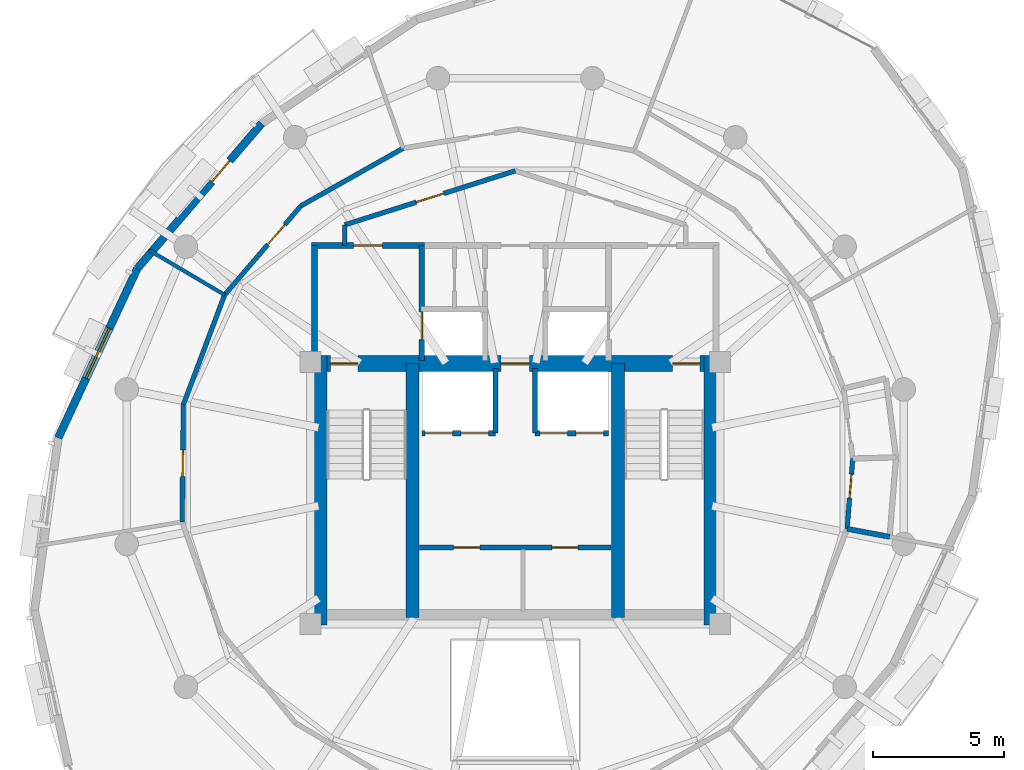
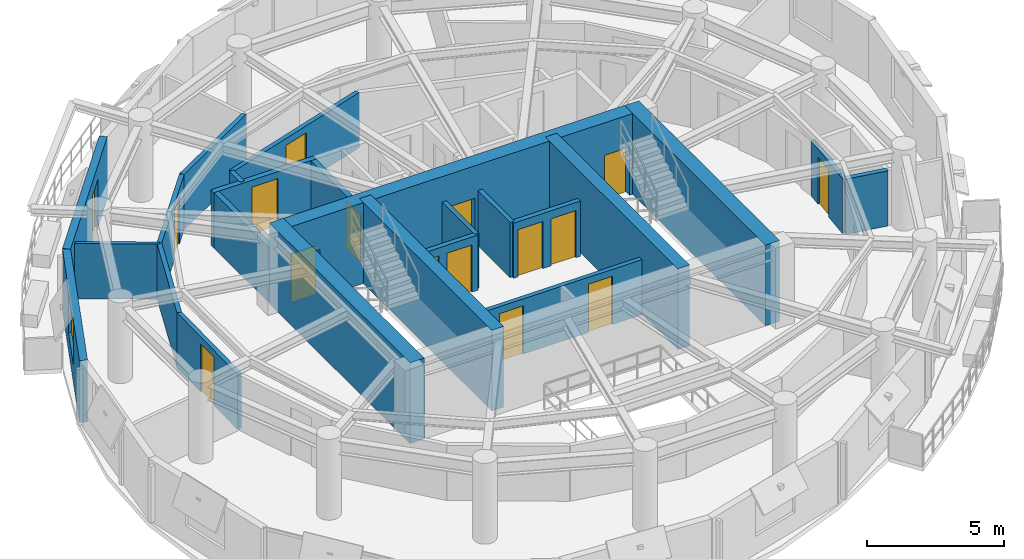
# One storey, part 7 of 11: 24 walls, 16 doors, 1 window, 17 openings.
"""IFC4 building model written with IfcOpenShell, lengths in metres."""

from ifc_helpers import new_model, si_unit, direction, frame, frame_2d, origin, place, context, subcontext, project, spatial, rectangle, extrude, material, layer, layer_set, type_object, element, fill, save


model = new_model("IFC4")

# Units and contexts
model_context = context("Model", 3, precision=1e-05, world=origin(), true_north=direction((0.0, 1.0)))
body_context = subcontext(model_context, "Body", "Model", "MODEL_VIEW")
ifc_project = project(units=[si_unit("LENGTHUNIT", "METRE"), si_unit("AREAUNIT", "SQUARE_METRE"), si_unit("VOLUMEUNIT", "CUBIC_METRE"), si_unit("PLANEANGLEUNIT", "RADIAN"), si_unit("MASSUNIT", "GRAM", prefix="KILO"), si_unit("THERMODYNAMICTEMPERATUREUNIT", "KELVIN"), si_unit("POWERUNIT", "WATT")], contexts=[model_context])

# Site, building, storey
site_placement = place(None, origin())
site = spatial("IfcSite", under=ifc_project, at=site_placement, CompositionType="ELEMENT")
building_placement = place(site_placement, origin())
building = spatial("IfcBuilding", under=site, at=building_placement, Name="Ocrelia Relay Tower", CompositionType="ELEMENT")
storey_placement = place(building_placement, frame((0.0, 0.0, 237.60009765625)))
storey = spatial("IfcBuildingStorey", under=building, at=storey_placement, Name="L58", CompositionType="ELEMENT", Elevation=237.60009765625)

# Wall, openings, doors
ifc_material_1 = material(Name="Concrete C50/60", Category="concrete")
ifc_layer_1 = layer(ifc_material_1, 0.60009765625, Name="Concrete C50/60")
ifc_layer_set_1 = layer_set([ifc_layer_1], Name="Concrete C50/60")
wall_type_1 = type_object("IfcWallType", Name="CW-CORE-600B", PredefinedType="SHEAR", material=ifc_layer_set_1)
wall_1_placement = place(storey_placement, frame((26.221923828125, 29.93798828125, 0.0), z_axis=(0.0, 0.0, 1.0), x_axis=(1.0, 0.0, 0.0)))
wall_1 = element("IfcWall", 1, at=wall_1_placement, inside=storey, type_object=wall_type_1, Name="L58 Core Shear Wall N", PredefinedType="SHEAR", context=body_context, shape_type="SweptSolid", body=[
    extrude(rectangle(XDim=15.566162109375, YDim=0.60009765625, at=frame_2d((7.783203125, 0.0))), origin(), (0.0, 0.0, 1.0), 3.599853515625),
])
opening_1_placement = place(wall_1_placement, frame((0.72802734375, 0.0, 0.0)))
opening_1 = element("IfcOpeningElement", 2, at=opening_1_placement, cuts=wall_1, Name="Opening D-FD90", PredefinedType="OPENING", context=body_context, shape_type="SweptSolid", body=[
    extrude(rectangle(XDim=1.050048828125, YDim=2.14990234375, at=frame_2d((0.52490234375, 1.074951171875))), frame((0.0, 0.31005859375, 0.0), z_axis=(0.0, -1.0, 0.0), x_axis=(1.0, 0.0, 0.0)), (0.0, 0.0, 1.0), 0.6201171875),
])
opening_2_placement = place(wall_1_placement, frame((13.778076171875, 0.0, 0.0)))
opening_2 = element("IfcOpeningElement", 3, at=opening_2_placement, cuts=wall_1, Name="Opening D-FD90", PredefinedType="OPENING", context=body_context, shape_type="SweptSolid", body=[
    extrude(rectangle(XDim=1.050048828125, YDim=2.14990234375, at=frame_2d((0.52490234375, 1.074951171875))), frame((0.0, 0.31005859375, 0.0), z_axis=(0.0, -1.0, 0.0), x_axis=(1.0, 0.0, 0.0)), (0.0, 0.0, 1.0), 0.6201171875),
])
opening_3_placement = place(wall_1_placement, frame((7.22802734375, 0.0, 0.0)))
opening_3 = element("IfcOpeningElement", 4, at=opening_3_placement, cuts=wall_1, Name="Opening D-FD60", PredefinedType="OPENING", context=body_context, shape_type="SweptSolid", body=[
    extrude(rectangle(XDim=1.10009765625, YDim=2.14990234375, at=frame_2d((0.550048828125, 1.074951171875))), frame((0.0, 0.31005859375, 0.0), z_axis=(0.0, -1.0, 0.0), x_axis=(1.0, 0.0, 0.0)), (0.0, 0.0, 1.0), 0.6201171875),
])
ifc_material_2 = material(Name="Timber-core 60-min acoustic fire door", Category="wood")
door_type_1 = type_object("IfcDoorType", Name="DR-LOBBY-FD60-1100", OperationType="NOTDEFINED", PredefinedType="DOOR", material=ifc_material_2)
door_1_placement = place(opening_3_placement, origin())
door_1 = element("IfcDoor", 5, at=door_1_placement, inside=storey, type_object=door_type_1, Name="L58 Core Lift Lobby North Fire Door", OperationType="SINGLE_SWING_RIGHT", OverallHeight=2.14990234375, OverallWidth=1.10009765625, PredefinedType="DOOR", context=body_context, shape_type="SweptSolid", body=[
    extrude(rectangle(XDim=1.10009765625, YDim=2.14990234375, at=frame_2d((0.550048828125, 1.074951171875))), frame((0.0, 0.02490234375, 0.0), z_axis=(0.0, -1.0, 0.0), x_axis=(1.0, 0.0, 0.0)), (0.0, 0.0, 1.0), 0.050048828125),
])
fill(opening_3, door_1)
ifc_material_3 = material(Name="Steel S355 90-min fire door", Category="steel")
door_type_2 = type_object("IfcDoorType", Name="DR-STAIR-FD90-1050", OperationType="NOTDEFINED", PredefinedType="DOOR", material=ifc_material_3)
door_2_placement = place(opening_1_placement, origin())
door_2 = element("IfcDoor", 6, at=door_2_placement, inside=storey, type_object=door_type_2, Name="L58 Stair ST1 Fire Door", OperationType="SINGLE_SWING_RIGHT", OverallHeight=2.14990234375, OverallWidth=1.050048828125, PredefinedType="DOOR", context=body_context, shape_type="SweptSolid", body=[
    extrude(rectangle(XDim=1.050048828125, YDim=2.14990234375, at=frame_2d((0.52490234375, 1.074951171875))), frame((0.0, 0.02490234375, 0.0), z_axis=(0.0, -1.0, 0.0), x_axis=(1.0, 0.0, 0.0)), (0.0, 0.0, 1.0), 0.050048828125),
])
fill(opening_1, door_2)
door_3_placement = place(opening_2_placement, origin())
door_3 = element("IfcDoor", 7, at=door_3_placement, inside=storey, type_object=door_type_2, Name="L58 Stair ST2 Fire Door", OperationType="SINGLE_SWING_LEFT", OverallHeight=2.14990234375, OverallWidth=1.050048828125, PredefinedType="DOOR", context=body_context, shape_type="SweptSolid", body=[
    extrude(rectangle(XDim=1.050048828125, YDim=2.14990234375, at=frame_2d((0.52490234375, 1.074951171875))), frame((0.0, 0.02490234375, 0.0), z_axis=(0.0, -1.0, 0.0), x_axis=(1.0, 0.0, 0.0)), (0.0, 0.0, 1.0), 0.050048828125),
])
fill(opening_2, door_3)

# Walls
for number, where, z_axis, x_axis, name in (
    (8, (26.52197265625, 19.9619140625, 0.0), (0.0, 0.0, 1.0), (0.0, 1.0, 0.0), "L58 Core Shear Wall W"),
    (9, (41.488037109375, 19.9619140625, 0.0), (0.0, 0.0, 1.0), (0.0, 1.0, 0.0), "L58 Core Shear Wall E"),
):
    element("IfcWall", number, at=place(storey_placement, frame(where, z_axis=z_axis, x_axis=x_axis)), inside=storey, type_object=wall_type_1, Name=name, PredefinedType="SHEAR", context=body_context, shape_type="SweptSolid", body=[
        extrude(rectangle(XDim=10.276123046875, YDim=0.60009765625, at=frame_2d((5.13818359375, 0.0))), origin(), (0.0, 0.0, 1.0), 3.599853515625),
    ])
for number, where, z_axis, x_axis, name in (
    (10, (30.087890625, 20.261962890625, 0.0), (0.0, 0.0, 1.0), (0.0, 1.0, 0.0), "L58 Core Shear Wall SPW"),
    (11, (37.922119140625, 20.261962890625, 0.0), (0.0, 0.0, 1.0), (0.0, 1.0, 0.0), "L58 Core Shear Wall SPE"),
):
    element("IfcWall", number, at=place(storey_placement, frame(where, z_axis=z_axis, x_axis=x_axis)), inside=storey, type_object=wall_type_1, Name=name, PredefinedType="SHEAR", context=body_context, shape_type="SweptSolid", body=[
        extrude(rectangle(XDim=9.676025390625, YDim=0.5, at=frame_2d((4.837890625, 0.0))), origin(), (0.0, 0.0, 1.0), 3.599853515625),
    ])

# Wall, openings, doors
ifc_material_4 = material(Name="Gypsum Fireboard Partition EI60", Category="gypsum")
ifc_layer_2 = layer(ifc_material_4, 0.179931640625, Name="Gypsum Fireboard Partition EI60")
ifc_layer_set_2 = layer_set([ifc_layer_2], Name="Gypsum Fireboard Partition EI60")
wall_type_2 = type_object("IfcWallType", Name="W-CORR-EI60-180", PredefinedType="PARTITIONING", material=ifc_layer_set_2)
wall_2_placement = place(storey_placement, frame((30.35009765625, 22.919921875, 0.0), z_axis=(0.0, 0.0, 1.0), x_axis=(1.0, 0.0, 0.0)))
wall_2 = element("IfcWall", 12, at=wall_2_placement, inside=storey, type_object=wall_type_2, Name="L58 Reclaimed Core Room Partition", PredefinedType="PARTITIONING", context=body_context, shape_type="SweptSolid", body=[
    extrude(rectangle(XDim=7.2998046875, YDim=0.179931640625, at=frame_2d((3.64990234375, 0.0))), origin(), (0.0, 0.0, 1.0), 2.4599609375),
])
opening_4_placement = place(wall_2_placement, frame((1.300048828125, 0.0, 0.0)))
opening_4 = element("IfcOpeningElement", 13, at=opening_4_placement, cuts=wall_2, Name="Opening D-RM100", PredefinedType="OPENING", context=body_context, shape_type="SweptSolid", body=[
    extrude(rectangle(XDim=1.0, YDim=2.14990234375, at=frame_2d((0.5, 1.074951171875))), frame((0.0, 0.10009765625, 0.0), z_axis=(0.0, -1.0, 0.0), x_axis=(1.0, 0.0, 0.0)), (0.0, 0.0, 1.0), 0.199951171875),
])
opening_5_placement = place(wall_2_placement, frame((5.050048828125, 0.0, 0.0)))
opening_5 = element("IfcOpeningElement", 14, at=opening_5_placement, cuts=wall_2, Name="Opening D-RM100", PredefinedType="OPENING", context=body_context, shape_type="SweptSolid", body=[
    extrude(rectangle(XDim=1.0, YDim=2.14990234375, at=frame_2d((0.5, 1.074951171875))), frame((0.0, 0.10009765625, 0.0), z_axis=(0.0, -1.0, 0.0), x_axis=(1.0, 0.0, 0.0)), (0.0, 0.0, 1.0), 0.199951171875),
])
ifc_material_5 = material(Name="Acoustic oak veneer fire door", Category="wood")
door_type_3 = type_object("IfcDoorType", Name="DR-ROOM-FD60-1000", OperationType="NOTDEFINED", PredefinedType="DOOR", material=ifc_material_5)
door_4_placement = place(opening_4_placement, origin())
door_4 = element("IfcDoor", 15, at=door_4_placement, inside=storey, type_object=door_type_3, Name="L58 Reclaimed Core Room 1 Door", OperationType="SINGLE_SWING_LEFT", OverallHeight=2.14990234375, OverallWidth=1.0, PredefinedType="DOOR", context=body_context, shape_type="SweptSolid", body=[
    extrude(rectangle(XDim=1.0, YDim=2.14990234375, at=frame_2d((0.5, 1.074951171875))), frame((0.0, 0.02490234375, 0.0), z_axis=(0.0, -1.0, 0.0), x_axis=(1.0, 0.0, 0.0)), (0.0, 0.0, 1.0), 0.050048828125),
])
fill(opening_4, door_4)
door_5_placement = place(opening_5_placement, origin())
door_5 = element("IfcDoor", 16, at=door_5_placement, inside=storey, type_object=door_type_3, Name="L58 Reclaimed Core Room 2 Door", OperationType="SINGLE_SWING_RIGHT", OverallHeight=2.14990234375, OverallWidth=1.0, PredefinedType="DOOR", context=body_context, shape_type="SweptSolid", body=[
    extrude(rectangle(XDim=1.0, YDim=2.14990234375, at=frame_2d((0.5, 1.074951171875))), frame((0.0, 0.02490234375, 0.0), z_axis=(0.0, -1.0, 0.0), x_axis=(1.0, 0.0, 0.0)), (0.0, 0.0, 1.0), 0.050048828125),
])
fill(opening_5, door_5)

# Wall
wall_3_placement = place(storey_placement, frame((27.5, 34.429931640625, 0.0), z_axis=(0.0, 0.0, 1.0), x_axis=(0.0, 1.0, 0.0)))
element("IfcWall", 17, at=wall_3_placement, inside=storey, type_object=wall_type_2, Name="L58 Smoke Lobby West Return", PredefinedType="PARTITIONING", context=body_context, shape_type="SweptSolid", body=[
    extrude(rectangle(XDim=0.7890625, YDim=0.179931640625, at=frame_2d((0.39453125, 0.0))), origin(), (0.0, 0.0, 1.0), 2.4599609375),
])

# Wall, opening, door
wall_4_placement = place(storey_placement, frame((27.5, 35.218994140625, 0.0), z_axis=(0.0, 0.0, 1.0), x_axis=(0.953228121756, 0.302251795518, 0.0)))
wall_4 = element("IfcWall", 18, at=wall_4_placement, inside=storey, type_object=wall_type_2, Name="L58 North Smoke Lobby W Screen Wall", PredefinedType="PARTITIONING", context=body_context, shape_type="SweptSolid", body=[
    extrude(rectangle(XDim=6.81884765625, YDim=0.179931640625, at=frame_2d((3.409423828125, 0.0))), origin(), (0.0, 0.0, 1.0), 2.4599609375),
])
opening_6_placement = place(wall_4_placement, frame((2.859619140625, 0.0, 0.0)))
opening_6 = element("IfcOpeningElement", 19, at=opening_6_placement, cuts=wall_4, Name="Opening D-FD60", PredefinedType="OPENING", context=body_context, shape_type="SweptSolid", body=[
    extrude(rectangle(XDim=1.10009765625, YDim=2.14990234375, at=frame_2d((0.550048828125, 1.074951171875))), frame((0.0, 0.10009765625, 0.0), z_axis=(0.0, -1.0, 0.0), x_axis=(1.0, 0.0, 0.0)), (0.0, 0.0, 1.0), 0.199951171875),
])
door_6_placement = place(opening_6_placement, origin())
door_6 = element("IfcDoor", 20, at=door_6_placement, inside=storey, type_object=door_type_1, Name="L58 North Smoke Lobby W Fire Door", OperationType="SINGLE_SWING_LEFT", OverallHeight=2.14990234375, OverallWidth=1.10009765625, PredefinedType="DOOR", context=body_context, shape_type="SweptSolid", body=[
    extrude(rectangle(XDim=1.10009765625, YDim=2.14990234375, at=frame_2d((0.550048828125, 1.074951171875))), frame((0.0, 0.02490234375, 0.0), z_axis=(0.0, -1.0, 0.0), x_axis=(1.0, 0.0, 0.0)), (0.0, 0.0, 1.0), 0.050048828125),
])
fill(opening_6, door_6)

wall_5_placement = place(storey_placement, frame((46.650390625, 23.632568359375, 0.0), z_axis=(0.0, 0.0, 1.0), x_axis=(0.080214060256, 0.996777660533, 0.0)))
wall_5 = element("IfcWall", 21, at=wall_5_placement, inside=storey, type_object=wall_type_2, Name="L58 Staff Toilet Corridor Wall", PredefinedType="PARTITIONING", context=body_context, shape_type="SweptSolid", body=[
    extrude(rectangle(XDim=2.690673828125, YDim=0.179931640625, at=frame_2d((1.34521484375, 0.0))), origin(), (0.0, 0.0, 1.0), 2.4599609375),
])
opening_7_placement = place(wall_5_placement, frame((1.16748046875, 0.0, 0.0)))
opening_7 = element("IfcOpeningElement", 22, at=opening_7_placement, cuts=wall_5, Name="Opening D-WC92", PredefinedType="OPENING", context=body_context, shape_type="SweptSolid", body=[
    extrude(rectangle(XDim=0.919921875, YDim=2.10009765625, at=frame_2d((0.4599609375, 1.050048828125))), frame((0.0, 0.10009765625, 0.0), z_axis=(0.0, -1.0, 0.0), x_axis=(1.0, 0.0, 0.0)), (0.0, 0.0, 1.0), 0.199951171875),
])
ifc_material_6 = material(Name="Laminate washroom door", Category="wood")
door_type_4 = type_object("IfcDoorType", Name="DR-WC-920", OperationType="NOTDEFINED", PredefinedType="DOOR", material=ifc_material_6)
door_7_placement = place(opening_7_placement, origin())
door_7 = element("IfcDoor", 23, at=door_7_placement, inside=storey, type_object=door_type_4, Name="L58 Staff Toilet Door", OperationType="SINGLE_SWING_LEFT", OverallHeight=2.10009765625, OverallWidth=0.919921875, PredefinedType="DOOR", context=body_context, shape_type="SweptSolid", body=[
    extrude(rectangle(XDim=0.919921875, YDim=2.10009765625, at=frame_2d((0.4599609375, 1.050048828125))), frame((0.0, 0.02490234375, 0.0), z_axis=(0.0, -1.0, 0.0), x_axis=(1.0, 0.0, 0.0)), (0.0, 0.0, 1.0), 0.050048828125),
])
fill(opening_7, door_7)

# Wall
wall_6_placement = place(storey_placement, frame((29.72509765625, 38.139404296875, 0.0), z_axis=(0.0, 0.0, 1.0), x_axis=(-0.871198932887, -0.490930157291, 0.0)))
element("IfcWall", 24, at=wall_6_placement, inside=storey, type_object=wall_type_2, Name="L58 Policy Office D Corridor Partition 1", PredefinedType="PARTITIONING", context=body_context, shape_type="SweptSolid", body=[
    extrude(rectangle(XDim=4.4697265625, YDim=0.179931640625, at=frame_2d((2.23486328125, 0.0))), origin(), (0.0, 0.0, 1.0), 2.4599609375),
])

# Wall, opening, door
wall_7_placement = place(storey_placement, frame((25.8310546875, 35.945068359375, 0.0), z_axis=(0.0, 0.0, 1.0), x_axis=(-0.650782376626, -0.759264313841, 0.0)))
wall_7 = element("IfcWall", 25, at=wall_7_placement, inside=storey, type_object=wall_type_2, Name="L58 Policy Office D Corridor Partition 2", PredefinedType="PARTITIONING", context=body_context, shape_type="SweptSolid", body=[
    extrude(rectangle(XDim=4.469482421875, YDim=0.179931640625, at=frame_2d((2.23486328125, 0.0))), origin(), (0.0, 0.0, 1.0), 2.4599609375),
])
opening_8_placement = place(wall_7_placement, frame((0.9423828125, 0.0, 0.0)))
opening_8 = element("IfcOpeningElement", 26, at=opening_8_placement, cuts=wall_7, Name="Opening D-RM100", PredefinedType="OPENING", context=body_context, shape_type="SweptSolid", body=[
    extrude(rectangle(XDim=1.0, YDim=2.14990234375, at=frame_2d((0.5, 1.074951171875))), frame((0.0, 0.10009765625, 0.0), z_axis=(0.0, -1.0, 0.0), x_axis=(1.0, 0.0, 0.0)), (0.0, 0.0, 1.0), 0.199951171875),
])
door_8_placement = place(opening_8_placement, origin())
door_8 = element("IfcDoor", 27, at=door_8_placement, inside=storey, type_object=door_type_3, Name="L58 Policy Office D Entrance Door", OperationType="SINGLE_SWING_LEFT", OverallHeight=2.14990234375, OverallWidth=1.0, PredefinedType="DOOR", context=body_context, shape_type="SweptSolid", body=[
    extrude(rectangle(XDim=1.0, YDim=2.14990234375, at=frame_2d((0.5, 1.074951171875))), frame((0.0, 0.02490234375, 0.0), z_axis=(0.0, -1.0, 0.0), x_axis=(1.0, 0.0, 0.0)), (0.0, 0.0, 1.0), 0.050048828125),
])
fill(opening_8, door_8)

# Wall
wall_8_placement = place(storey_placement, frame((22.92236328125, 32.551513671875, 0.0), z_axis=(0.0, 0.0, 1.0), x_axis=(-0.351853579162, -0.936055051175, 0.0)))
element("IfcWall", 28, at=wall_8_placement, inside=storey, type_object=wall_type_2, Name="L58 Strategy Office E Corridor Partition 1", PredefinedType="PARTITIONING", context=body_context, shape_type="SweptSolid", body=[
    extrude(rectangle(XDim=4.469970703125, YDim=0.179931640625, at=frame_2d((2.23486328125, 0.0))), origin(), (0.0, 0.0, 1.0), 2.4599609375),
])

# Wall, opening, door
wall_9_placement = place(storey_placement, frame((21.349609375, 28.367431640625, 0.0), z_axis=(0.0, 0.0, 1.0), x_axis=(-0.010487214807, -0.999945007651, 0.0)))
wall_9 = element("IfcWall", 29, at=wall_9_placement, inside=storey, type_object=wall_type_2, Name="L58 Strategy Office E Corridor Partition 2", PredefinedType="PARTITIONING", context=body_context, shape_type="SweptSolid", body=[
    extrude(rectangle(XDim=4.4697265625, YDim=0.179931640625, at=frame_2d((2.23486328125, 0.0))), origin(), (0.0, 0.0, 1.0), 2.4599609375),
])
opening_9_placement = place(wall_9_placement, frame((1.73486328125, 0.0, 0.0)))
opening_9 = element("IfcOpeningElement", 30, at=opening_9_placement, cuts=wall_9, Name="Opening D-RM100", PredefinedType="OPENING", context=body_context, shape_type="SweptSolid", body=[
    extrude(rectangle(XDim=1.0, YDim=2.14990234375, at=frame_2d((0.5, 1.074951171875))), frame((0.0, 0.10009765625, 0.0), z_axis=(0.0, -1.0, 0.0), x_axis=(1.0, 0.0, 0.0)), (0.0, 0.0, 1.0), 0.199951171875),
])
door_9_placement = place(opening_9_placement, origin())
door_9 = element("IfcDoor", 31, at=door_9_placement, inside=storey, type_object=door_type_3, Name="L58 Strategy Office E Entrance Door", OperationType="SINGLE_SWING_RIGHT", OverallHeight=2.14990234375, OverallWidth=1.0, PredefinedType="DOOR", context=body_context, shape_type="SweptSolid", body=[
    extrude(rectangle(XDim=1.0, YDim=2.14990234375, at=frame_2d((0.5, 1.074951171875))), frame((0.0, 0.02490234375, 0.0), z_axis=(0.0, -1.0, 0.0), x_axis=(1.0, 0.0, 0.0)), (0.0, 0.0, 1.0), 0.050048828125),
])
fill(opening_9, door_9)

ifc_material_7 = material(Name="Precast concrete C40/50 with oxide terracotta", Category="masonry")
ifc_layer_3 = layer(ifc_material_7, 0.300048828125, Name="Precast concrete C40/50 with oxide terracotta")
ifc_layer_set_3 = layer_set([ifc_layer_3], Name="Precast concrete C40/50 with oxide terracotta")
wall_type_3 = type_object("IfcWallType", Name="W-EXT-TERR-300", PredefinedType="SOLIDWALL", material=ifc_layer_set_3)
wall_10_placement = place(storey_placement, frame((24.334716796875, 39.087158203125, 0.0), z_axis=(0.0, 0.0, 1.0), x_axis=(-0.650777589735, -0.759268416767, 0.0)))
wall_10 = element("IfcWall", 32, at=wall_10_placement, inside=storey, type_object=wall_type_3, Name="L58 Oxide Terracotta Facade Wall 05", PredefinedType="SOLIDWALL", context=body_context, shape_type="SweptSolid", body=[
    extrude(rectangle(XDim=7.293212890625, YDim=0.300048828125, at=frame_2d((3.646484375, 0.0))), origin(), (0.0, 0.0, 1.0), 2.760009765625),
])
opening_10_placement = place(wall_10_placement, frame((1.8701171875, 0.0, 0.0)))
opening_10 = element("IfcOpeningElement", 33, at=opening_10_placement, cuts=wall_10, Name="Opening DB-105", PredefinedType="OPENING", context=body_context, shape_type="SweptSolid", body=[
    extrude(rectangle(XDim=1.050048828125, YDim=2.14990234375, at=frame_2d((0.52490234375, 1.074951171875))), frame((0.0, 0.16015625, 0.0), z_axis=(0.0, -1.0, 0.0), x_axis=(1.0, 0.0, 0.0)), (0.0, 0.0, 1.0), 0.320068359375),
])
ifc_material_8 = material(Name="Thermally broken aluminium and clear glass", Category="aluminium")
door_type_5 = type_object("IfcDoorType", Name="DR-BALC-1050", OperationType="NOTDEFINED", PredefinedType="DOOR", material=ifc_material_8)
door_10_placement = place(opening_10_placement, origin())
door_10 = element("IfcDoor", 34, at=door_10_placement, inside=storey, type_object=door_type_5, Name="L58 Planted Loggia Balcony Door B1", OperationType="SINGLE_SWING_LEFT", OverallHeight=2.14990234375, OverallWidth=1.050048828125, PredefinedType="DOOR", context=body_context, shape_type="SweptSolid", body=[
    extrude(rectangle(XDim=1.050048828125, YDim=2.14990234375, at=frame_2d((0.52490234375, 1.074951171875))), frame((0.0, 0.02490234375, 0.0), z_axis=(0.0, -1.0, 0.0), x_axis=(1.0, 0.0, 0.0)), (0.0, 0.0, 1.0), 0.050048828125),
])
fill(opening_10, door_10)

# Wall, opening, window
wall_11_placement = place(storey_placement, frame((19.58837890625, 33.549560546875, 0.0), z_axis=(0.0, 0.0, 1.0), x_axis=(-0.422755852514, -0.90624361469, 0.0)))
wall_11 = element("IfcWall", 35, at=wall_11_placement, inside=storey, type_object=wall_type_3, Name="L58 Oxide Terracotta Facade Wall 06", PredefinedType="SOLIDWALL", context=body_context, shape_type="SweptSolid", body=[
    extrude(rectangle(XDim=7.115234375, YDim=0.300048828125, at=frame_2d((3.5576171875, 0.0))), origin(), (0.0, 0.0, 1.0), 2.760009765625),
])
opening_11_placement = place(wall_11_placement, frame((2.508056640625, 0.0, 0.800048828125)))
opening_11 = element("IfcOpeningElement", 36, at=opening_11_placement, cuts=wall_11, Name="Opening W-07", PredefinedType="OPENING", context=body_context, shape_type="SweptSolid", body=[
    extrude(rectangle(XDim=2.10009765625, YDim=1.85009765625, at=frame_2d((1.050048828125, 0.925048828125))), frame((0.0, 0.16015625, 0.0), z_axis=(0.0, -1.0, 0.0), x_axis=(1.0, 0.0, 0.0)), (0.0, 0.0, 1.0), 0.320068359375),
])
ifc_material_9 = material(Name="Clear double-glazed low-E glass", Category="glass")
window_type = type_object("IfcWindowType", Name="WIN-Z4-2100x2200", PartitioningType="DOUBLE_PANEL_VERTICAL", PredefinedType="WINDOW", material=ifc_material_9)
window_placement = place(opening_11_placement, origin())
window = element("IfcWindow", 37, at=window_placement, inside=storey, type_object=window_type, Name="L58 Facade Module Window 06", OverallHeight=1.85009765625, OverallWidth=2.10009765625, PartitioningType="SINGLE_PANEL", PredefinedType="WINDOW", context=body_context, shape_type="SweptSolid", body=[
    extrude(rectangle(XDim=2.10009765625, YDim=1.85009765625, at=frame_2d((1.050048828125, 0.925048828125))), frame((0.0, 0.030029296875, 0.0), z_axis=(0.0, -1.0, 0.0), x_axis=(1.0, 0.0, 0.0)), (0.0, 0.0, 1.0), 0.06005859375),
])
fill(opening_11, window)

# Wall
ifc_layer_4 = layer(ifc_material_1, 0.219970703125, Name="Concrete C50/60")
ifc_layer_set_4 = layer_set([ifc_layer_4], Name="Concrete C50/60")
wall_type_4 = type_object("IfcWallType", Name="W-FFL-EI120-220", PredefinedType="SOLIDWALL", material=ifc_layer_set_4)
wall_12_placement = place(storey_placement, frame((26.35009765625, 30.050048828125, 0.0), z_axis=(0.0, 0.0, 1.0), x_axis=(0.0, 1.0, 0.0)))
element("IfcWall", 38, at=wall_12_placement, inside=storey, type_object=wall_type_4, Name="L58 W Fire Service Lift Lobby West Wall", PredefinedType="SOLIDWALL", context=body_context, shape_type="SweptSolid", body=[
    extrude(rectangle(XDim=4.3798828125, YDim=0.219970703125, at=frame_2d((2.18994140625, 0.0))), origin(), (0.0, 0.0, 1.0), 2.4599609375),
])

# Wall, opening, door
wall_13_placement = place(storey_placement, frame((30.43994140625, 30.050048828125, 0.0), z_axis=(0.0, 0.0, 1.0), x_axis=(0.0, 1.0, 0.0)))
wall_13 = element("IfcWall", 39, at=wall_13_placement, inside=storey, type_object=wall_type_4, Name="L58 W Fire Service Lift Lobby East Wall", PredefinedType="SOLIDWALL", context=body_context, shape_type="SweptSolid", body=[
    extrude(rectangle(XDim=4.3798828125, YDim=0.219970703125, at=frame_2d((2.18994140625, 0.0))), origin(), (0.0, 0.0, 1.0), 2.4599609375),
])
opening_12_placement = place(wall_13_placement, frame((0.800048828125, 0.0, 0.0)))
opening_12 = element("IfcOpeningElement", 40, at=opening_12_placement, cuts=wall_13, Name="Opening LD-FFL1", PredefinedType="OPENING", context=body_context, shape_type="SweptSolid", body=[
    extrude(rectangle(XDim=1.050048828125, YDim=2.10009765625, at=frame_2d((0.52490234375, 1.050048828125))), frame((0.0, 0.1201171875, 0.0), z_axis=(0.0, -1.0, 0.0), x_axis=(1.0, 0.0, 0.0)), (0.0, 0.0, 1.0), 0.239990234375),
])
ifc_material_10 = material(Name="Brushed stainless steel S355 lift landing door", Category="steel")
door_type_6 = type_object("IfcDoorType", Name="DR-LIFT-LAND-1050", OperationType="DOUBLE_DOOR_SLIDING", PredefinedType="USERDEFINED", material=ifc_material_10)
door_11_placement = place(opening_12_placement, origin())
door_11 = element("IfcDoor", 41, at=door_11_placement, inside=storey, type_object=door_type_6, Name="L58 Firefighting Lift FFL1 Sliding Landing Door", ObjectType="LANDING DOOR", OperationType="DOUBLE_DOOR_SLIDING", OverallHeight=2.10009765625, OverallWidth=1.050048828125, PredefinedType="USERDEFINED", context=body_context, shape_type="SweptSolid", body=[
    extrude(rectangle(XDim=1.050048828125, YDim=2.10009765625, at=frame_2d((0.52490234375, 1.050048828125))), frame((0.0, 0.02490234375, 0.0), z_axis=(0.0, -1.0, 0.0), x_axis=(1.0, 0.0, 0.0)), (0.0, 0.0, 1.0), 0.050048828125),
])
fill(opening_12, door_11)

wall_14_placement = place(storey_placement, frame((26.239990234375, 34.429931640625, 0.0), z_axis=(0.0, 0.0, 1.0), x_axis=(1.0, 0.0, 0.0)))
wall_14 = element("IfcWall", 42, at=wall_14_placement, inside=storey, type_object=wall_type_4, Name="L58 W Fire Service Lift Lobby North Wall", PredefinedType="SOLIDWALL", context=body_context, shape_type="SweptSolid", body=[
    extrude(rectangle(XDim=4.31005859375, YDim=0.219970703125, at=frame_2d((2.155029296875, 0.0))), origin(), (0.0, 0.0, 1.0), 2.4599609375),
])
opening_13_placement = place(wall_14_placement, frame((1.60009765625, 0.0, 0.0)))
opening_13 = element("IfcOpeningElement", 43, at=opening_13_placement, cuts=wall_14, Name="Opening D-FD60", PredefinedType="OPENING", context=body_context, shape_type="SweptSolid", body=[
    extrude(rectangle(XDim=1.10009765625, YDim=2.14990234375, at=frame_2d((0.550048828125, 1.074951171875))), frame((0.0, 0.1201171875, 0.0), z_axis=(0.0, -1.0, 0.0), x_axis=(1.0, 0.0, 0.0)), (0.0, 0.0, 1.0), 0.239990234375),
])
door_12_placement = place(opening_13_placement, origin())
door_12 = element("IfcDoor", 44, at=door_12_placement, inside=storey, type_object=door_type_1, Name="L58 W Fire Service Lift Lobby Exit Door", OperationType="SINGLE_SWING_LEFT", OverallHeight=2.14990234375, OverallWidth=1.10009765625, PredefinedType="DOOR", context=body_context, shape_type="SweptSolid", body=[
    extrude(rectangle(XDim=1.10009765625, YDim=2.14990234375, at=frame_2d((0.550048828125, 1.074951171875))), frame((0.0, 0.02490234375, 0.0), z_axis=(0.0, -1.0, 0.0), x_axis=(1.0, 0.0, 0.0)), (0.0, 0.0, 1.0), 0.050048828125),
])
fill(opening_13, door_12)

# Walls
ifc_material_11 = material(Name="Acoustic Fireboard Partition EI60", Category="gypsum")
ifc_layer_5 = layer(ifc_material_11, 0.139892578125, Name="Acoustic Fireboard Partition EI60")
ifc_layer_set_5 = layer_set([ifc_layer_5], Name="Acoustic Fireboard Partition EI60")
wall_type_5 = type_object("IfcWallType", Name="W-PART-140", PredefinedType="PARTITIONING", material=ifc_layer_set_5)
wall_15_placement = place(storey_placement, frame((22.92236328125, 32.551513671875, 0.0), z_axis=(0.0, 0.0, 1.0), x_axis=(-0.860754301827, 0.509020659587, 0.0)))
element("IfcWall", 45, at=wall_15_placement, inside=storey, type_object=wall_type_5, Name="L58 Policy Office D Radial Partition", PredefinedType="PARTITIONING", context=body_context, shape_type="SweptSolid", body=[
    extrude(rectangle(XDim=3.3310546875, YDim=0.139892578125, at=frame_2d((1.66552734375, 0.0))), origin(), (0.0, 0.0, 1.0), 2.4599609375),
])
ifc_material_12 = material(Name="Moisture-Resistant Fireboard Chase Wall EI60", Category="gypsum")
ifc_layer_6 = layer(ifc_material_12, 0.199951171875, Name="Moisture-Resistant Fireboard Chase Wall EI60")
ifc_layer_set_6 = layer_set([ifc_layer_6], Name="Moisture-Resistant Fireboard Chase Wall EI60")
wall_type_6 = type_object("IfcWallType", Name="W-PLUMB-200", PredefinedType="PLUMBINGWALL", material=ifc_layer_set_6)
wall_16_placement = place(storey_placement, frame((46.650390625, 23.632568359375, 0.0), z_axis=(0.0, 0.0, 1.0), x_axis=(0.982940797427, -0.183922235617, 0.0)))
element("IfcWall", 46, at=wall_16_placement, inside=storey, type_object=wall_type_6, Name="L58 Staff Toilet Plumbing Radial Wall", PredefinedType="PLUMBINGWALL", context=body_context, shape_type="SweptSolid", body=[
    extrude(rectangle(XDim=1.64990234375, YDim=0.199951171875, at=frame_2d((0.824951171875, 0.0))), origin(), (0.0, 0.0, 1.0), 2.4599609375),
])

# Wall, openings, doors
ifc_layer_7 = layer(ifc_material_1, 0.199951171875, Name="Concrete C50/60")
ifc_layer_set_7 = layer_set([ifc_layer_7], Name="Concrete C50/60")
wall_type_7 = type_object("IfcWallType", Name="W-SHAFT-EI120-200", PredefinedType="SOLIDWALL", material=ifc_layer_set_7)
wall_17_placement = place(storey_placement, frame((30.43994140625, 27.280029296875, 0.0), z_axis=(0.0, 0.0, 1.0), x_axis=(1.0, 0.0, 0.0)))
wall_17 = element("IfcWall", 47, at=wall_17_placement, inside=storey, type_object=wall_type_7, Name="L58 High-Rise Lift Hoistway Wall W", PredefinedType="SOLIDWALL", context=body_context, shape_type="SweptSolid", body=[
    extrude(rectangle(XDim=2.81005859375, YDim=0.199951171875, at=frame_2d((1.405029296875, 0.0))), origin(), (0.0, 0.0, 1.0), 2.4599609375),
])
opening_14_placement = place(wall_17_placement, frame((0.1201171875, 0.0, 0.0)))
opening_14 = element("IfcOpeningElement", 48, at=opening_14_placement, cuts=wall_17, Name="Opening LD-PL5", PredefinedType="OPENING", context=body_context, shape_type="SweptSolid", body=[
    extrude(rectangle(XDim=1.050048828125, YDim=2.10009765625, at=frame_2d((0.52490234375, 1.050048828125))), frame((0.0, 0.10986328125, 0.0), z_axis=(0.0, -1.0, 0.0), x_axis=(1.0, 0.0, 0.0)), (0.0, 0.0, 1.0), 0.219970703125),
])
opening_15_placement = place(wall_17_placement, frame((1.5, 0.0, 0.0)))
opening_15 = element("IfcOpeningElement", 49, at=opening_15_placement, cuts=wall_17, Name="Opening LD-PL6", PredefinedType="OPENING", context=body_context, shape_type="SweptSolid", body=[
    extrude(rectangle(XDim=1.050048828125, YDim=2.10009765625, at=frame_2d((0.52490234375, 1.050048828125))), frame((0.0, 0.10986328125, 0.0), z_axis=(0.0, -1.0, 0.0), x_axis=(1.0, 0.0, 0.0)), (0.0, 0.0, 1.0), 0.219970703125),
])
door_13_placement = place(opening_14_placement, origin())
door_13 = element("IfcDoor", 50, at=door_13_placement, inside=storey, type_object=door_type_6, Name="L58 High-Rise Lift PL5 Sliding Landing Door", ObjectType="LANDING DOOR", OperationType="DOUBLE_DOOR_SLIDING", OverallHeight=2.10009765625, OverallWidth=1.050048828125, PredefinedType="USERDEFINED", context=body_context, shape_type="SweptSolid", body=[
    extrude(rectangle(XDim=1.050048828125, YDim=2.10009765625, at=frame_2d((0.52490234375, 1.050048828125))), frame((0.0, 0.02490234375, 0.0), z_axis=(0.0, -1.0, 0.0), x_axis=(1.0, 0.0, 0.0)), (0.0, 0.0, 1.0), 0.050048828125),
])
fill(opening_14, door_13)
door_14_placement = place(opening_15_placement, origin())
door_14 = element("IfcDoor", 51, at=door_14_placement, inside=storey, type_object=door_type_6, Name="L58 High-Rise Lift PL6 Sliding Landing Door", ObjectType="LANDING DOOR", OperationType="DOUBLE_DOOR_SLIDING", OverallHeight=2.10009765625, OverallWidth=1.050048828125, PredefinedType="USERDEFINED", context=body_context, shape_type="SweptSolid", body=[
    extrude(rectangle(XDim=1.050048828125, YDim=2.10009765625, at=frame_2d((0.52490234375, 1.050048828125))), frame((0.0, 0.02490234375, 0.0), z_axis=(0.0, -1.0, 0.0), x_axis=(1.0, 0.0, 0.0)), (0.0, 0.0, 1.0), 0.050048828125),
])
fill(opening_15, door_14)

# Wall
wall_18_placement = place(storey_placement, frame((33.25, 27.280029296875, 0.0), z_axis=(0.0, 0.0, 1.0), x_axis=(0.0, 1.0, 0.0)))
element("IfcWall", 52, at=wall_18_placement, inside=storey, type_object=wall_type_7, Name="L58 High-Rise Lift Throat Wall W", PredefinedType="SOLIDWALL", context=body_context, shape_type="SweptSolid", body=[
    extrude(rectangle(XDim=2.469970703125, YDim=0.179931640625, at=frame_2d((1.23486328125, 0.0))), origin(), (0.0, 0.0, 1.0), 2.4599609375),
])

# Wall, openings, doors
wall_19_placement = place(storey_placement, frame((34.75, 27.280029296875, 0.0), z_axis=(0.0, 0.0, 1.0), x_axis=(1.0, 0.0, 0.0)))
wall_19 = element("IfcWall", 53, at=wall_19_placement, inside=storey, type_object=wall_type_7, Name="L58 High-Rise Lift Hoistway Wall E", PredefinedType="SOLIDWALL", context=body_context, shape_type="SweptSolid", body=[
    extrude(rectangle(XDim=2.81005859375, YDim=0.199951171875, at=frame_2d((1.405029296875, 0.0))), origin(), (0.0, 0.0, 1.0), 2.4599609375),
])
opening_16_placement = place(wall_19_placement, frame((0.18994140625, 0.0, 0.0)))
opening_16 = element("IfcOpeningElement", 54, at=opening_16_placement, cuts=wall_19, Name="Opening LD-PL7", PredefinedType="OPENING", context=body_context, shape_type="SweptSolid", body=[
    extrude(rectangle(XDim=1.050048828125, YDim=2.10009765625, at=frame_2d((0.52490234375, 1.050048828125))), frame((0.0, 0.10986328125, 0.0), z_axis=(0.0, -1.0, 0.0), x_axis=(1.0, 0.0, 0.0)), (0.0, 0.0, 1.0), 0.219970703125),
])
opening_17_placement = place(wall_19_placement, frame((1.570068359375, 0.0, 0.0)))
opening_17 = element("IfcOpeningElement", 55, at=opening_17_placement, cuts=wall_19, Name="Opening LD-PL8", PredefinedType="OPENING", context=body_context, shape_type="SweptSolid", body=[
    extrude(rectangle(XDim=1.050048828125, YDim=2.10009765625, at=frame_2d((0.52490234375, 1.050048828125))), frame((0.0, 0.10986328125, 0.0), z_axis=(0.0, -1.0, 0.0), x_axis=(1.0, 0.0, 0.0)), (0.0, 0.0, 1.0), 0.219970703125),
])
door_15_placement = place(opening_16_placement, origin())
door_15 = element("IfcDoor", 56, at=door_15_placement, inside=storey, type_object=door_type_6, Name="L58 High-Rise Lift PL7 Sliding Landing Door", ObjectType="LANDING DOOR", OperationType="DOUBLE_DOOR_SLIDING", OverallHeight=2.10009765625, OverallWidth=1.050048828125, PredefinedType="USERDEFINED", context=body_context, shape_type="SweptSolid", body=[
    extrude(rectangle(XDim=1.050048828125, YDim=2.10009765625, at=frame_2d((0.52490234375, 1.050048828125))), frame((0.0, 0.02490234375, 0.0), z_axis=(0.0, -1.0, 0.0), x_axis=(1.0, 0.0, 0.0)), (0.0, 0.0, 1.0), 0.050048828125),
])
fill(opening_16, door_15)
door_16_placement = place(opening_17_placement, origin())
door_16 = element("IfcDoor", 57, at=door_16_placement, inside=storey, type_object=door_type_6, Name="L58 High-Rise Lift PL8 Sliding Landing Door", ObjectType="LANDING DOOR", OperationType="DOUBLE_DOOR_SLIDING", OverallHeight=2.10009765625, OverallWidth=1.050048828125, PredefinedType="USERDEFINED", context=body_context, shape_type="SweptSolid", body=[
    extrude(rectangle(XDim=1.050048828125, YDim=2.10009765625, at=frame_2d((0.52490234375, 1.050048828125))), frame((0.0, 0.02490234375, 0.0), z_axis=(0.0, -1.0, 0.0), x_axis=(1.0, 0.0, 0.0)), (0.0, 0.0, 1.0), 0.050048828125),
])
fill(opening_17, door_16)

# Wall
wall_20_placement = place(storey_placement, frame((34.75, 27.280029296875, 0.0), z_axis=(0.0, 0.0, 1.0), x_axis=(0.0, 1.0, 0.0)))
element("IfcWall", 58, at=wall_20_placement, inside=storey, type_object=wall_type_7, Name="L58 High-Rise Lift Throat Wall E", PredefinedType="SOLIDWALL", context=body_context, shape_type="SweptSolid", body=[
    extrude(rectangle(XDim=2.469970703125, YDim=0.179931640625, at=frame_2d((1.23486328125, 0.0))), origin(), (0.0, 0.0, 1.0), 2.4599609375),
])

save(model, "model.ifc")
